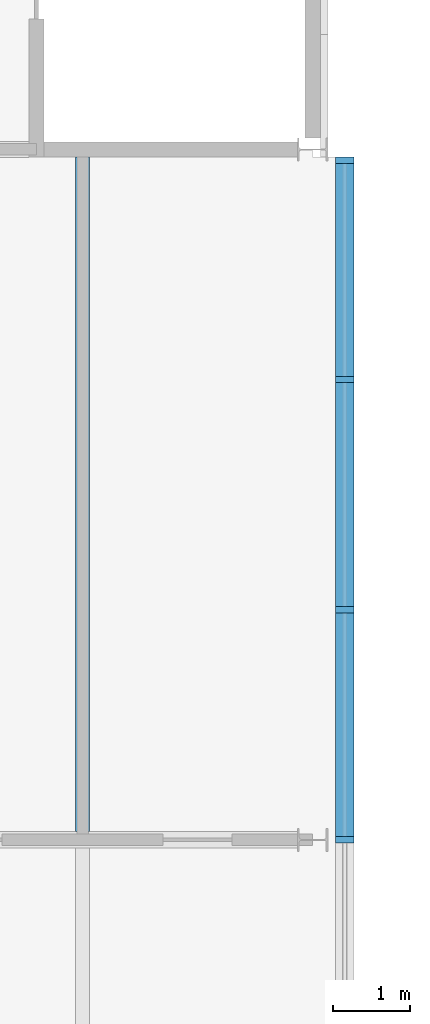
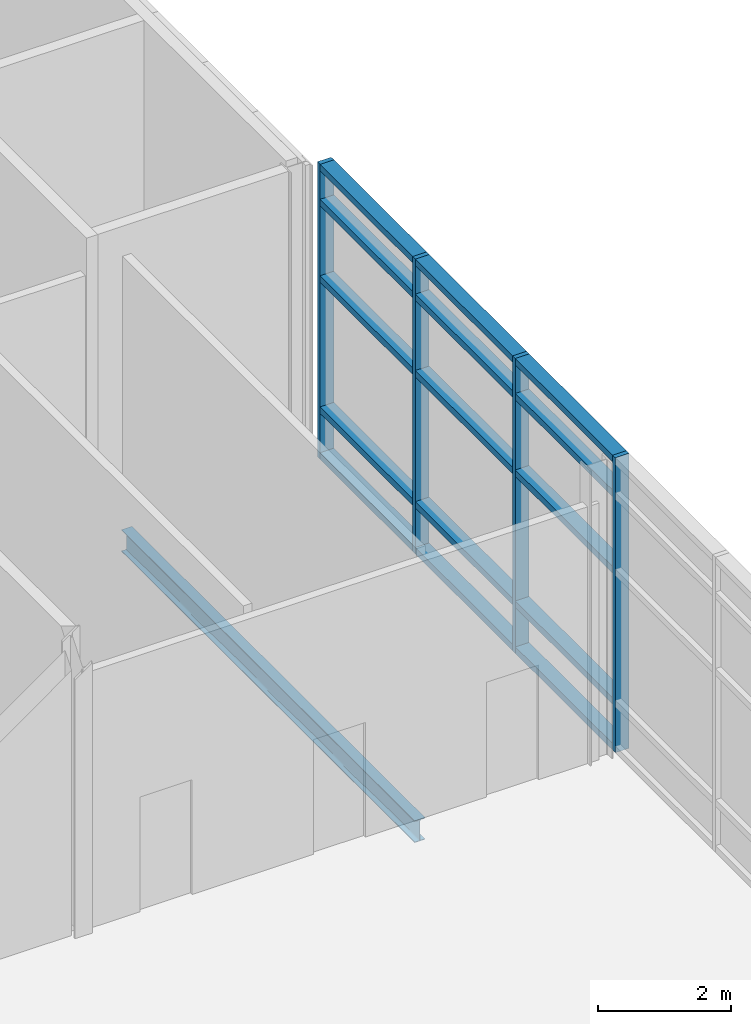
# One storey, part 11 of 56: 19 members, 1 beam, 1 element without a shape of its own.
"""IFC4 building model written with IfcOpenShell, lengths in metres."""

import ifcopenshell
import ifcopenshell.guid

model = None  # the IFC model being written
_history = None  # IfcOwnerHistory: only IFC2X3 demands one
_inside = {}  # id of a spatial element -> (the spatial element, [elements in it])
_under = {}  # id of a project, library or spatial element -> (it, [spatial elements below it])
_declared = {}  # id of a project -> (the project, [libraries it declares])
_typed = {}  # id of a type object -> (the type object, [elements of that type])
_made_of = {}  # id of a material, layer set ... -> (it, [elements and type objects made of it])


def new_model(schema):
    """Start an empty IFC model of exactly this schema.

    Asked for "IFC4X3", IfcOpenShell would pick the latest addendum, in which some entities
    have other attributes; the version numbers below select the first issue.
    IFC2X3 requires an IfcOwnerHistory on every rooted entity: one is made here for all.
    """
    global model, _history
    if schema == "IFC4X3":
        model = ifcopenshell.file(schema_version=(4, 3, 0, 0))
    else:
        model = ifcopenshell.file(schema=schema)
    _inside.clear()
    _under.clear()
    _declared.clear()
    _typed.clear()
    _made_of.clear()
    _history = None
    if model.schema == "IFC2X3":
        org = make("IfcOrganization", Name="unknown")
        user = make(
            "IfcPersonAndOrganization",
            ThePerson=make("IfcPerson", FamilyName="unknown"),
            TheOrganization=org,
        )
        app = make(
            "IfcApplication",
            ApplicationDeveloper=org,
            Version="unknown",
            ApplicationFullName="unknown",
            ApplicationIdentifier="unknown",
        )
        _history = make(
            "IfcOwnerHistory",
            OwningUser=user,
            OwningApplication=app,
            ChangeAction="ADDED",
            CreationDate=0,
        )
    return model


def make(cls, **values):
    """One entity of the class cls with the attributes given. An attribute that is None is left unset."""
    return model.create_entity(
        cls, **{name: value for name, value in values.items() if value is not None}
    )


def rooted(cls, **values):
    """An entity with a GlobalId (a new one), such as an element, a storey or a relation."""
    return make(cls, GlobalId=ifcopenshell.guid.new(), OwnerHistory=_history, **values)


def si_unit(unit_type, name, prefix=None):
    """IfcSIUnit, for example si_unit("LENGTHUNIT", "METRE", prefix="MILLI")."""
    return make("IfcSIUnit", UnitType=unit_type, Prefix=prefix, Name=name)


def assignment(units):
    """IfcUnitAssignment: the units of a project."""
    return None if units is None else make("IfcUnitAssignment", Units=units)


def point(xyz):
    """IfcCartesianPoint."""
    return None if xyz is None else make("IfcCartesianPoint", Coordinates=xyz)


def direction(xyz):
    """IfcDirection."""
    return None if xyz is None else make("IfcDirection", DirectionRatios=xyz)


def frame(location, z_axis=None, x_axis=None):
    """IfcAxis2Placement3D, a coordinate frame: its origin and axes. An axis left out is left unset."""
    return make(
        "IfcAxis2Placement3D",
        Location=point(location),
        Axis=direction(z_axis),
        RefDirection=direction(x_axis),
    )


def frame_2d(location, x_axis=None):
    """IfcAxis2Placement2D, a coordinate frame in the plane: its origin and x axis."""
    return make(
        "IfcAxis2Placement2D", Location=point(location), RefDirection=direction(x_axis)
    )


def origin():
    """The frame at (0, 0, 0) with its axes left unset."""
    return frame((0.0, 0.0, 0.0))


def origin_2d():
    """The frame at (0, 0) in the plane with its x axis left unset."""
    return frame_2d((0.0, 0.0))


def place(relative_to, where):
    """IfcLocalPlacement: puts the frame where relative to a parent placement (None: the world)."""
    return make(
        "IfcLocalPlacement", PlacementRelTo=relative_to, RelativePlacement=where
    )


def context(
    kind, dimensions, precision=None, world=None, true_north=None, identifier=None
):
    """IfcGeometricRepresentationContext, for example the 3D "Model" context."""
    return make(
        "IfcGeometricRepresentationContext",
        ContextIdentifier=identifier,
        ContextType=kind,
        CoordinateSpaceDimension=dimensions,
        Precision=precision,
        WorldCoordinateSystem=world,
        TrueNorth=true_north,
    )


def subcontext(parent, identifier, kind, view, scale=None):
    """IfcGeometricRepresentationSubContext, for example "Body" below "Model"."""
    return make(
        "IfcGeometricRepresentationSubContext",
        ContextIdentifier=identifier,
        ContextType=kind,
        ParentContext=parent,
        TargetScale=scale,
        TargetView=view,
    )


def project(units=None, contexts=None):
    """IfcProject with its units and contexts."""
    return rooted(
        "IfcProject",
        Name="project",
        RepresentationContexts=contexts,
        UnitsInContext=assignment(units),
    )


def spatial(cls, under=None, at=None, **own):
    """A site, building, storey or space (cls), placed at a placement, below another one or the project."""
    s = rooted(cls, ObjectPlacement=at, **own)
    if under is not None:
        _under.setdefault(under.id(), (under, []))[1].append(s)
    return s


def profile(cls, at=None, kind="AREA", **sizes):
    """A parametric profile (cls). Its sizes go by their IFC names, for example OverallWidth=200.0."""
    return make(cls, ProfileType=kind, Position=at, **sizes)


def rectangle(**sizes):
    """IfcRectangleProfileDef."""
    return profile("IfcRectangleProfileDef", **sizes)


def i_section(**sizes):
    """IfcIShapeProfileDef."""
    return profile("IfcIShapeProfileDef", **sizes)


def extrude(swept, where, along, depth):
    """IfcExtrudedAreaSolid: the profile swept, set in the frame where, extruded along a direction by depth."""
    return make(
        "IfcExtrudedAreaSolid",
        SweptArea=swept,
        Position=where,
        ExtrudedDirection=direction(along),
        Depth=depth,
    )


def shape(context_of_items, identifier, shape_type, items):
    """IfcShapeRepresentation: the items that make up one representation, for example the "Body"."""
    return make(
        "IfcShapeRepresentation",
        ContextOfItems=context_of_items,
        RepresentationIdentifier=identifier,
        RepresentationType=shape_type,
        Items=items,
    )


def material(Name=None, Category=None):
    """IfcMaterial."""
    return make("IfcMaterial", Name=Name, Category=Category)


def material_profile(
    of_material, cross_section, Name=None, Category=None, Priority=None
):
    """IfcMaterialProfile: a cross section and its material."""
    return make(
        "IfcMaterialProfile",
        Name=Name,
        Material=of_material,
        Profile=cross_section,
        Priority=Priority,
        Category=Category,
    )


def profile_set(profiles, Name=None, composite=None):
    """IfcMaterialProfileSet."""
    return make(
        "IfcMaterialProfileSet",
        Name=Name,
        MaterialProfiles=profiles,
        CompositeProfile=composite,
    )


def made_of(thing, what):
    """Note that an element or type object is made of a material, layer set ...; save() writes the relation."""
    if what is not None:
        _made_of.setdefault(what.id(), (what, []))[1].append(thing)
    return thing


def type_object(cls, material=None, **own):
    """A type object (cls), such as IfcWallType, which elements share."""
    return made_of(rooted(cls, **own), material)


def element(
    cls,
    number,
    at=None,
    inside=None,
    cuts=None,
    type_object=None,
    material=None,
    context=None,
    identifier="Body",
    shape_type=None,
    held_by="IfcProductDefinitionShape",
    body=None,
    shapes=None,
    **own,
):
    """One element of the class cls, such as IfcWall. Its Tag is "e" and its number.

    at: its placement. inside: the storey or other place that contains it. cuts: it is an
    opening in that element (IfcRelVoidsElement). A single representation is given by context,
    identifier, shape_type and body (its items); several are given by shapes. held_by: the class
    of the entity that holds the representations. save() writes the other relations.
    """
    e = rooted(cls, Tag="e%d" % number, ObjectPlacement=at, **own)
    if body is not None:
        shapes = [shape(context, identifier, shape_type, body)]
    if shapes is not None:
        e.Representation = make(held_by, Representations=shapes)
    if inside is not None:
        _inside.setdefault(inside.id(), (inside, []))[1].append(e)
    if cuts is not None:
        rooted(
            "IfcRelVoidsElement", RelatingBuildingElement=cuts, RelatedOpeningElement=e
        )
    if type_object is not None:
        _typed.setdefault(type_object.id(), (type_object, []))[1].append(e)
    return made_of(e, material)


def aggregate(whole, parts):
    """IfcRelAggregates: a whole, such as a stair, and the parts it consists of."""
    return rooted("IfcRelAggregates", RelatingObject=whole, RelatedObjects=parts)


def save(model, path):
    """Write the relations noted so far, then the file.

    IfcRelAggregates (storeys below a building ...), IfcRelContainedInSpatialStructure (elements
    in a storey), IfcRelDefinesByType, IfcRelAssociatesMaterial and IfcRelDeclares: one each for
    every whole, place, type object, material and project.
    """
    for whole, parts in _under.values():
        aggregate(whole, parts)
    for where, things in _inside.values():
        rooted(
            "IfcRelContainedInSpatialStructure",
            RelatedElements=things,
            RelatingStructure=where,
        )
    for kind, things in _typed.values():
        rooted("IfcRelDefinesByType", RelatedObjects=things, RelatingType=kind)
    for what, things in _made_of.values():
        rooted("IfcRelAssociatesMaterial", RelatedObjects=things, RelatingMaterial=what)
    for by, libraries in _declared.values():
        rooted("IfcRelDeclares", RelatingContext=by, RelatedDefinitions=libraries)
    model.write(path)


model = new_model("IFC4")

# Units and contexts
model_context = context("Model", 3, precision=1e-05, world=origin(), true_north=direction((0.0, 1.0)))
body_context = subcontext(model_context, "Body", "Model", "MODEL_VIEW")
ifc_project = project(units=[si_unit("LENGTHUNIT", "METRE"), si_unit("AREAUNIT", "SQUARE_METRE"), si_unit("VOLUMEUNIT", "CUBIC_METRE"), si_unit("PLANEANGLEUNIT", "RADIAN"), si_unit("MASSUNIT", "GRAM", prefix="KILO")], contexts=[model_context])

# Site, building, storey
site_placement = place(None, origin())
site = spatial("IfcSite", under=ifc_project, at=site_placement, CompositionType="ELEMENT")
building_placement = place(site_placement, origin())
building = spatial("IfcBuilding", under=site, at=building_placement, Name="Azimuth Sports and Learning Centre", CompositionType="ELEMENT")
storey_placement = place(building_placement, frame((0.0, 0.0, 5.39990234375)))
storey = spatial("IfcBuildingStorey", under=building, at=storey_placement, Name="L01", CompositionType="ELEMENT", Elevation=5.39990234375)

# Beam
ifc_material_1 = material(Name="Steel S355", Category="steel")
ifc_material_profile_1 = material_profile(ifc_material_1, i_section(OverallWidth=0.179931640625, OverallDepth=0.39990234375, WebThickness=0.008544921875, FlangeThickness=0.013427734375, FilletRadius=0.02099609375, at=origin_2d()), Name="IPE 400")
ifc_profile_set_1 = profile_set([ifc_material_profile_1], Name="Steel S355")
beam_type = type_object("IfcBeamType", Name="Joist IPE 400", PredefinedType="JOIST", material=ifc_profile_set_1)
beam_placement = place(storey_placement, frame((96.0, 45.10498046875, -0.349853515625), z_axis=(0.0, 1.0, 0.0), x_axis=(-1.0, 0.0, 0.0)))
element("IfcBeam", 1, at=beam_placement, inside=storey, type_object=beam_type, Name="Joist L01 ST 78", PredefinedType="JOIST", context=body_context, shape_type="SweptSolid", body=[
    extrude(i_section(OverallWidth=0.179931640625, OverallDepth=0.39990234375, WebThickness=0.008544921875, FlangeThickness=0.013427734375, FilletRadius=0.02099609375, at=origin_2d()), origin(), (0.0, 0.0, 1.0), 8.794921875),
])

# Curtain wall, members
ifc_material_2 = material(Name="Aluminium and glass", Category="aluminium")
curtain_wall_type = type_object("IfcCurtainWallType", Name="Curtain wall podium stem 240", PredefinedType="NOTDEFINED", material=ifc_material_2)
curtain_wall_placement = place(storey_placement, origin())
curtain_wall = element("IfcCurtainWall", 2, at=curtain_wall_placement, inside=storey, type_object=curtain_wall_type, Name="Curtain wall CW01-007", PredefinedType="NOTDEFINED")
ifc_material_3 = material(Name="Aluminium", Category="aluminium")
ifc_material_profile_2 = material_profile(ifc_material_3, rectangle(XDim=0.239990234375, YDim=0.080078125, at=origin_2d()), Name="Mullion 80x240")
ifc_profile_set_2 = profile_set([ifc_material_profile_2], Name="Aluminium")
member_type_1 = type_object("IfcMemberType", Name="Mullion 80x240", PredefinedType="MULLION", material=ifc_profile_set_2)
member_1_placement = place(storey_placement, frame((99.419921875, 45.0, 0.0), z_axis=(0.0, 0.0, 1.0), x_axis=(-1.0, 0.0, 0.0)))
member_1 = element("IfcMember", 3, at=member_1_placement, type_object=member_type_1, Name="CW01-007 mullion 4", PredefinedType="MULLION", context=body_context, shape_type="SweptSolid", body=[
    extrude(rectangle(XDim=0.239990234375, YDim=0.080078125, at=origin_2d()), origin(), (0.0, 0.0, 1.0), 5.400146484375),
])
member_2_placement = place(storey_placement, frame((99.419921875, 48.0, 0.0), z_axis=(0.0, 0.0, 1.0), x_axis=(-1.0, 0.0, 0.0)))
member_2 = element("IfcMember", 4, at=member_2_placement, type_object=member_type_1, Name="CW01-007 mullion 5", PredefinedType="MULLION", context=body_context, shape_type="SweptSolid", body=[
    extrude(rectangle(XDim=0.239990234375, YDim=0.080078125, at=origin_2d()), origin(), (0.0, 0.0, 1.0), 5.400146484375),
])
member_3_placement = place(storey_placement, frame((99.419921875, 51.0, 0.0), z_axis=(0.0, 0.0, 1.0), x_axis=(-1.0, 0.0, 0.0)))
member_3 = element("IfcMember", 5, at=member_3_placement, type_object=member_type_1, Name="CW01-007 mullion 6", PredefinedType="MULLION", context=body_context, shape_type="SweptSolid", body=[
    extrude(rectangle(XDim=0.239990234375, YDim=0.080078125, at=origin_2d()), origin(), (0.0, 0.0, 1.0), 5.400146484375),
])
member_4_placement = place(storey_placement, frame((99.419921875, 53.860107421875, 0.0), z_axis=(0.0, 0.0, 1.0), x_axis=(-1.0, 0.0, 0.0)))
member_4 = element("IfcMember", 6, at=member_4_placement, type_object=member_type_1, Name="CW01-007 mullion 7", PredefinedType="MULLION", context=body_context, shape_type="SweptSolid", body=[
    extrude(rectangle(XDim=0.239990234375, YDim=0.080078125, at=origin_2d()), origin(), (0.0, 0.0, 1.0), 5.400146484375),
])
ifc_material_4 = material(Name="Aluminium", Category="aluminium")
ifc_material_profile_3 = material_profile(ifc_material_4, rectangle(XDim=0.239990234375, YDim=0.1201171875, at=origin_2d()), Name="Transom 120x240")
ifc_profile_set_3 = profile_set([ifc_material_profile_3], Name="Aluminium")
member_type_2 = type_object("IfcMemberType", Name="Transom 120x240", PredefinedType="USERDEFINED", material=ifc_profile_set_3)
member_5_placement = place(storey_placement, frame((99.419921875, 45.0400390625, 0.06005859375), z_axis=(0.0, 1.0, 0.0), x_axis=(-1.0, 0.0, 0.0)))
member_5 = element("IfcMember", 7, at=member_5_placement, type_object=member_type_2, Name="CW01-007 transom 4.1", ObjectType="TRANSOM", PredefinedType="USERDEFINED", context=body_context, shape_type="SweptSolid", body=[
    extrude(rectangle(XDim=0.239990234375, YDim=0.1201171875, at=origin_2d()), origin(), (0.0, 0.0, 1.0), 2.919921875),
])
member_6_placement = place(storey_placement, frame((99.419921875, 45.0400390625, 0.900146484375), z_axis=(0.0, 1.0, 0.0), x_axis=(-1.0, 0.0, 0.0)))
member_6 = element("IfcMember", 8, at=member_6_placement, type_object=member_type_2, Name="CW01-007 transom 4.2", ObjectType="TRANSOM", PredefinedType="USERDEFINED", context=body_context, shape_type="SweptSolid", body=[
    extrude(rectangle(XDim=0.239990234375, YDim=0.1201171875, at=origin_2d()), origin(), (0.0, 0.0, 1.0), 2.919921875),
])
member_7_placement = place(storey_placement, frame((99.419921875, 45.0400390625, 3.300048828125), z_axis=(0.0, 1.0, 0.0), x_axis=(-1.0, 0.0, 0.0)))
member_7 = element("IfcMember", 9, at=member_7_placement, type_object=member_type_2, Name="CW01-007 transom 4.3", ObjectType="TRANSOM", PredefinedType="USERDEFINED", context=body_context, shape_type="SweptSolid", body=[
    extrude(rectangle(XDim=0.239990234375, YDim=0.1201171875, at=origin_2d()), origin(), (0.0, 0.0, 1.0), 2.919921875),
])
member_8_placement = place(storey_placement, frame((99.419921875, 45.0400390625, 4.7001953125), z_axis=(0.0, 1.0, 0.0), x_axis=(-1.0, 0.0, 0.0)))
member_8 = element("IfcMember", 10, at=member_8_placement, type_object=member_type_2, Name="CW01-007 transom 4.4", ObjectType="TRANSOM", PredefinedType="USERDEFINED", context=body_context, shape_type="SweptSolid", body=[
    extrude(rectangle(XDim=0.239990234375, YDim=0.1201171875, at=origin_2d()), origin(), (0.0, 0.0, 1.0), 2.919921875),
])
member_9_placement = place(storey_placement, frame((99.419921875, 45.0400390625, 5.340087890625), z_axis=(0.0, 1.0, 0.0), x_axis=(-1.0, 0.0, 0.0)))
member_9 = element("IfcMember", 11, at=member_9_placement, type_object=member_type_2, Name="CW01-007 transom 4.5", ObjectType="TRANSOM", PredefinedType="USERDEFINED", context=body_context, shape_type="SweptSolid", body=[
    extrude(rectangle(XDim=0.239990234375, YDim=0.1201171875, at=origin_2d()), origin(), (0.0, 0.0, 1.0), 2.919921875),
])
member_10_placement = place(storey_placement, frame((99.419921875, 48.0400390625, 0.06005859375), z_axis=(0.0, 1.0, 0.0), x_axis=(-1.0, 0.0, 0.0)))
member_10 = element("IfcMember", 12, at=member_10_placement, type_object=member_type_2, Name="CW01-007 transom 5.1", ObjectType="TRANSOM", PredefinedType="USERDEFINED", context=body_context, shape_type="SweptSolid", body=[
    extrude(rectangle(XDim=0.239990234375, YDim=0.1201171875, at=origin_2d()), origin(), (0.0, 0.0, 1.0), 2.919921875),
])
member_11_placement = place(storey_placement, frame((99.419921875, 48.0400390625, 0.900146484375), z_axis=(0.0, 1.0, 0.0), x_axis=(-1.0, 0.0, 0.0)))
member_11 = element("IfcMember", 13, at=member_11_placement, type_object=member_type_2, Name="CW01-007 transom 5.2", ObjectType="TRANSOM", PredefinedType="USERDEFINED", context=body_context, shape_type="SweptSolid", body=[
    extrude(rectangle(XDim=0.239990234375, YDim=0.1201171875, at=origin_2d()), origin(), (0.0, 0.0, 1.0), 2.919921875),
])
member_12_placement = place(storey_placement, frame((99.419921875, 48.0400390625, 3.300048828125), z_axis=(0.0, 1.0, 0.0), x_axis=(-1.0, 0.0, 0.0)))
member_12 = element("IfcMember", 14, at=member_12_placement, type_object=member_type_2, Name="CW01-007 transom 5.3", ObjectType="TRANSOM", PredefinedType="USERDEFINED", context=body_context, shape_type="SweptSolid", body=[
    extrude(rectangle(XDim=0.239990234375, YDim=0.1201171875, at=origin_2d()), origin(), (0.0, 0.0, 1.0), 2.919921875),
])
member_13_placement = place(storey_placement, frame((99.419921875, 48.0400390625, 4.7001953125), z_axis=(0.0, 1.0, 0.0), x_axis=(-1.0, 0.0, 0.0)))
member_13 = element("IfcMember", 15, at=member_13_placement, type_object=member_type_2, Name="CW01-007 transom 5.4", ObjectType="TRANSOM", PredefinedType="USERDEFINED", context=body_context, shape_type="SweptSolid", body=[
    extrude(rectangle(XDim=0.239990234375, YDim=0.1201171875, at=origin_2d()), origin(), (0.0, 0.0, 1.0), 2.919921875),
])
member_14_placement = place(storey_placement, frame((99.419921875, 48.0400390625, 5.340087890625), z_axis=(0.0, 1.0, 0.0), x_axis=(-1.0, 0.0, 0.0)))
member_14 = element("IfcMember", 16, at=member_14_placement, type_object=member_type_2, Name="CW01-007 transom 5.5", ObjectType="TRANSOM", PredefinedType="USERDEFINED", context=body_context, shape_type="SweptSolid", body=[
    extrude(rectangle(XDim=0.239990234375, YDim=0.1201171875, at=origin_2d()), origin(), (0.0, 0.0, 1.0), 2.919921875),
])
member_15_placement = place(storey_placement, frame((99.419921875, 51.0400390625, 0.06005859375), z_axis=(0.0, 1.0, 0.0), x_axis=(-1.0, 0.0, 0.0)))
member_15 = element("IfcMember", 17, at=member_15_placement, type_object=member_type_2, Name="CW01-007 transom 6.1", ObjectType="TRANSOM", PredefinedType="USERDEFINED", context=body_context, shape_type="SweptSolid", body=[
    extrude(rectangle(XDim=0.239990234375, YDim=0.1201171875, at=origin_2d()), origin(), (0.0, 0.0, 1.0), 2.780029296875),
])
member_16_placement = place(storey_placement, frame((99.419921875, 51.0400390625, 0.900146484375), z_axis=(0.0, 1.0, 0.0), x_axis=(-1.0, 0.0, 0.0)))
member_16 = element("IfcMember", 18, at=member_16_placement, type_object=member_type_2, Name="CW01-007 transom 6.2", ObjectType="TRANSOM", PredefinedType="USERDEFINED", context=body_context, shape_type="SweptSolid", body=[
    extrude(rectangle(XDim=0.239990234375, YDim=0.1201171875, at=origin_2d()), origin(), (0.0, 0.0, 1.0), 2.780029296875),
])
member_17_placement = place(storey_placement, frame((99.419921875, 51.0400390625, 3.300048828125), z_axis=(0.0, 1.0, 0.0), x_axis=(-1.0, 0.0, 0.0)))
member_17 = element("IfcMember", 19, at=member_17_placement, type_object=member_type_2, Name="CW01-007 transom 6.3", ObjectType="TRANSOM", PredefinedType="USERDEFINED", context=body_context, shape_type="SweptSolid", body=[
    extrude(rectangle(XDim=0.239990234375, YDim=0.1201171875, at=origin_2d()), origin(), (0.0, 0.0, 1.0), 2.780029296875),
])
member_18_placement = place(storey_placement, frame((99.419921875, 51.0400390625, 4.7001953125), z_axis=(0.0, 1.0, 0.0), x_axis=(-1.0, 0.0, 0.0)))
member_18 = element("IfcMember", 20, at=member_18_placement, type_object=member_type_2, Name="CW01-007 transom 6.4", ObjectType="TRANSOM", PredefinedType="USERDEFINED", context=body_context, shape_type="SweptSolid", body=[
    extrude(rectangle(XDim=0.239990234375, YDim=0.1201171875, at=origin_2d()), origin(), (0.0, 0.0, 1.0), 2.780029296875),
])
member_19_placement = place(storey_placement, frame((99.419921875, 51.0400390625, 5.340087890625), z_axis=(0.0, 1.0, 0.0), x_axis=(-1.0, 0.0, 0.0)))
member_19 = element("IfcMember", 21, at=member_19_placement, type_object=member_type_2, Name="CW01-007 transom 6.5", ObjectType="TRANSOM", PredefinedType="USERDEFINED", context=body_context, shape_type="SweptSolid", body=[
    extrude(rectangle(XDim=0.239990234375, YDim=0.1201171875, at=origin_2d()), origin(), (0.0, 0.0, 1.0), 2.780029296875),
])
aggregate(curtain_wall, [member_1, member_2, member_3, member_4, member_5, member_6, member_7, member_8, member_9, member_10, member_11, member_12, member_13, member_14, member_15, member_16, member_17, member_18, member_19])

save(model, "model.ifc")
